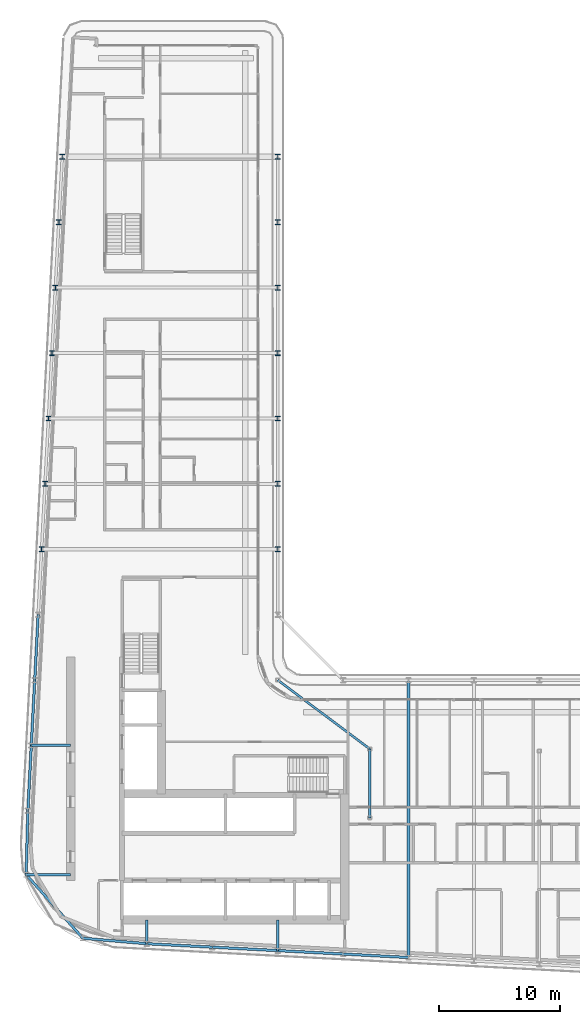
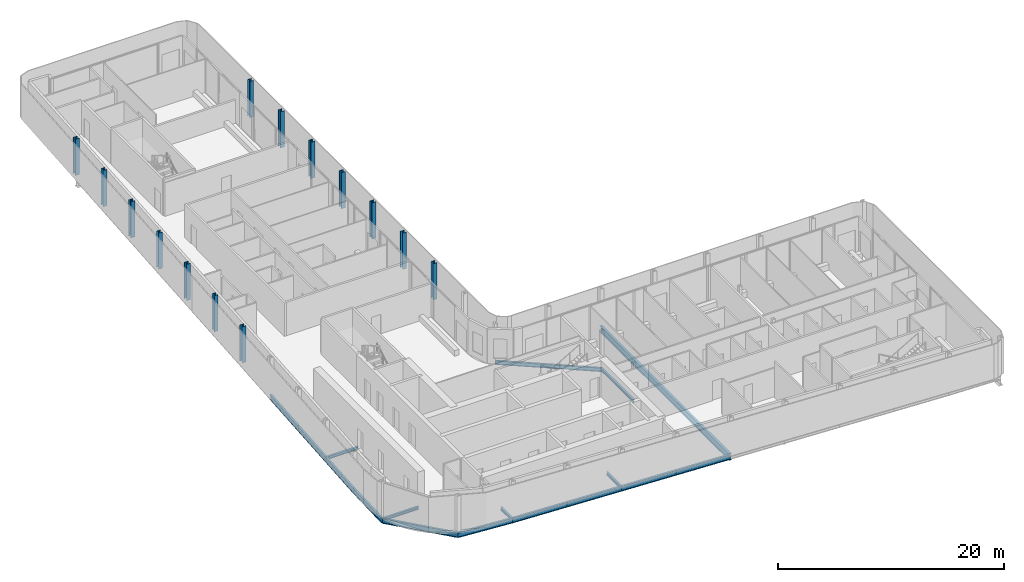
# One storey, part 3 of 23: 17 beams, 14 columns.
"""IFC4 building model written with IfcOpenShell, lengths in metres."""

from ifc_helpers import new_model, si_unit, direction, frame, origin, origin_2d, place, context, subcontext, project, spatial, i_section, extrude, material, material_profile, profile_set, type_object, element, save


model = new_model("IFC4")

# Units and contexts
model_context = context("Model", 3, precision=1e-05, world=origin(), true_north=direction((0.0, 1.0)))
body_context = subcontext(model_context, "Body", "Model", "MODEL_VIEW")
ifc_project = project(units=[si_unit("LENGTHUNIT", "METRE"), si_unit("AREAUNIT", "SQUARE_METRE"), si_unit("VOLUMEUNIT", "CUBIC_METRE"), si_unit("PLANEANGLEUNIT", "RADIAN"), si_unit("MASSUNIT", "GRAM", prefix="KILO")], contexts=[model_context])

# Site, building, storey
site_placement = place(None, origin())
site = spatial("IfcSite", under=ifc_project, at=site_placement, CompositionType="ELEMENT")
building_placement = place(site_placement, origin())
building = spatial("IfcBuilding", under=site, at=building_placement, Name="Kheshtan School and Residences Tower", CompositionType="ELEMENT")
storey_placement = place(building_placement, frame((0.0, 0.0, 243.5)))
storey = spatial("IfcBuildingStorey", under=building, at=storey_placement, Name="L57", CompositionType="ELEMENT", Elevation=243.5)

# Columns
ifc_material = material(Name="Steel ASTM A992 Grade 50", Category="steel")
ifc_material_profile_1 = material_profile(ifc_material, i_section(OverallWidth=0.404052734375, OverallDepth=0.406982421875, WebThickness=0.027099609375, FlangeThickness=0.043701171875, FilletRadius=0.01220703125, at=origin_2d()), Name="W360x347")
ifc_profile_set_1 = profile_set([ifc_material_profile_1], Name="Steel ASTM A992 Grade 50")
column_type = type_object("IfcColumnType", Name="Column C4 W360x347 ASTM A992 Grade 50", PredefinedType="COLUMN", material=ifc_profile_set_1)
for number, where, z_axis, x_axis, name in (
    (1, (28.10595703125, 56.39990234375, 0.0), (0.0, 0.0, 1.0), (1.0, 0.0, 0.0), "Column C080"),
    (2, (47.60009765625, 56.39990234375, 0.0), (0.0, 0.0, 1.0), (1.0, 0.0, 0.0), "Column C081"),
    (3, (28.389892578125, 61.800048828125, 0.0), (0.0, 0.0, 1.0), (1.0, 0.0, 0.0), "Column C082"),
    (4, (47.60009765625, 61.800048828125, 0.0), (0.0, 0.0, 1.0), (1.0, 0.0, 0.0), "Column C083"),
    (5, (28.674072265625, 67.199951171875, 0.0), (0.0, 0.0, 1.0), (1.0, 0.0, 0.0), "Column C084"),
    (6, (47.60009765625, 67.199951171875, 0.0), (0.0, 0.0, 1.0), (1.0, 0.0, 0.0), "Column C085"),
    (7, (28.9580078125, 72.60009765625, 0.0), (0.0, 0.0, 1.0), (1.0, 0.0, 0.0), "Column C086"),
    (8, (47.60009765625, 72.60009765625, 0.0), (0.0, 0.0, 1.0), (1.0, 0.0, 0.0), "Column C087"),
    (9, (29.242919921875, 78.0, 0.0), (0.0, 0.0, 1.0), (1.0, 0.0, 0.0), "Column C088"),
    (10, (47.60009765625, 78.0, 0.0), (0.0, 0.0, 1.0), (1.0, 0.0, 0.0), "Column C089"),
    (11, (29.527099609375, 83.39990234375, 0.0), (0.0, 0.0, 1.0), (1.0, 0.0, 0.0), "Column C090"),
    (12, (47.60009765625, 83.39990234375, 0.0), (0.0, 0.0, 1.0), (1.0, 0.0, 0.0), "Column C091"),
    (13, (29.81103515625, 88.800048828125, 0.0), (0.0, 0.0, 1.0), (1.0, 0.0, 0.0), "Column C098"),
    (14, (47.60009765625, 88.800048828125, 0.0), (0.0, 0.0, 1.0), (1.0, 0.0, 0.0), "Column C099"),
):
    element("IfcColumn", number, at=place(storey_placement, frame(where, z_axis=z_axis, x_axis=x_axis)), inside=storey, type_object=column_type, Name=name, PredefinedType="COLUMN", context=body_context, shape_type="SweptSolid", body=[
        extrude(i_section(OverallWidth=0.404052734375, OverallDepth=0.406982421875, WebThickness=0.027099609375, FlangeThickness=0.043701171875, FilletRadius=0.01220703125, at=origin_2d()), origin(), (0.0, 0.0, 1.0), 3.89990234375),
    ])

# Beams
ifc_material_profile_2 = material_profile(ifc_material, i_section(OverallWidth=0.202880859375, OverallDepth=0.302978515625, WebThickness=0.007568359375, FlangeThickness=0.01318359375, FilletRadius=0.009033203125, at=origin_2d()), Name="W310x60")
ifc_profile_set_2 = profile_set([ifc_material_profile_2], Name="Steel ASTM A992 Grade 50")
beam_type_1 = type_object("IfcBeamType", Name="Beam FB1 W310x60 ASTM A992 Grade 50", PredefinedType="BEAM", material=ifc_profile_set_2)
beam_1_placement = place(storey_placement, frame((47.60009765625, 23.263916015625, -0.301513671875), z_axis=(0.0, 1.0, 0.0), x_axis=(-1.0, 0.0, 0.0)))
element("IfcBeam", 15, at=beam_1_placement, inside=storey, type_object=beam_type_1, Name="Floor beam C020", PredefinedType="BEAM", context=body_context, shape_type="SweptSolid", body=[
    extrude(i_section(OverallWidth=0.202880859375, OverallDepth=0.302978515625, WebThickness=0.007568359375, FlangeThickness=0.01318359375, FilletRadius=0.009033203125, at=origin_2d()), origin(), (0.0, 0.0, 1.0), 2.5361328125),
])
beam_2_placement = place(storey_placement, frame((36.800048828125, 23.83203125, -0.301513671875), z_axis=(0.0, 1.0, 0.0), x_axis=(-1.0, 0.0, 0.0)))
element("IfcBeam", 16, at=beam_2_placement, inside=storey, type_object=beam_type_1, Name="Floor beam C022", PredefinedType="BEAM", context=body_context, shape_type="SweptSolid", body=[
    extrude(i_section(OverallWidth=0.202880859375, OverallDepth=0.302978515625, WebThickness=0.007568359375, FlangeThickness=0.01318359375, FilletRadius=0.009033203125, at=origin_2d()), origin(), (0.0, 0.0, 1.0), 1.968017578125),
])
beam_3_placement = place(storey_placement, frame((26.830078125, 29.5380859375, -0.301513671875), z_axis=(1.0, 0.0, 0.0), x_axis=(0.0, 1.0, 0.0)))
element("IfcBeam", 17, at=beam_3_placement, inside=storey, type_object=beam_type_1, Name="Floor beam C043", PredefinedType="BEAM", context=body_context, shape_type="SweptSolid", body=[
    extrude(i_section(OverallWidth=0.202880859375, OverallDepth=0.302978515625, WebThickness=0.007568359375, FlangeThickness=0.01318359375, FilletRadius=0.009033203125, at=origin_2d()), origin(), (0.0, 0.0, 1.0), 3.669921875),
])
beam_4_placement = place(storey_placement, frame((27.2529296875, 40.199951171875, -0.301513671875), z_axis=(1.0, 0.0, 0.0), x_axis=(0.0, 1.0, 0.0)))
element("IfcBeam", 18, at=beam_4_placement, inside=storey, type_object=beam_type_1, Name="Floor beam C056", PredefinedType="BEAM", context=body_context, shape_type="SweptSolid", body=[
    extrude(i_section(OverallWidth=0.202880859375, OverallDepth=0.302978515625, WebThickness=0.007568359375, FlangeThickness=0.01318359375, FilletRadius=0.009033203125, at=origin_2d()), origin(), (0.0, 0.0, 1.0), 3.2470703125),
])
beam_5_placement = place(storey_placement, frame((55.199951171875, 34.23193359375, -0.301513671875), z_axis=(0.0, 1.0, 0.0), x_axis=(-1.0, 0.0, 0.0)))
element("IfcBeam", 19, at=beam_5_placement, inside=storey, type_object=beam_type_1, Name="Floor beam IC", PredefinedType="BEAM", context=body_context, shape_type="SweptSolid", body=[
    extrude(i_section(OverallWidth=0.202880859375, OverallDepth=0.302978515625, WebThickness=0.007568359375, FlangeThickness=0.01318359375, FilletRadius=0.009033203125, at=origin_2d()), origin(), (0.0, 0.0, 1.0), 5.68408203125),
])
ifc_material_profile_3 = material_profile(ifc_material, i_section(OverallWidth=0.180908203125, OverallDepth=0.4169921875, WebThickness=0.010986328125, FlangeThickness=0.018310546875, FilletRadius=0.012451171875, at=origin_2d()), Name="W410x85")
ifc_profile_set_3 = profile_set([ifc_material_profile_3], Name="Steel ASTM A992 Grade 50")
beam_type_2 = type_object("IfcBeamType", Name="Beam FB3 W410x85 ASTM A992 Grade 50", PredefinedType="BEAM", material=ifc_profile_set_3)
beam_6_placement = place(storey_placement, frame((47.60009765625, 45.60009765625, -0.3583984375), z_axis=(0.800798828004, -0.598933416222, 0.0), x_axis=(0.598933416222, 0.800798828004, 0.0)))
element("IfcBeam", 20, at=beam_6_placement, inside=storey, type_object=beam_type_2, Name="Floor beam IC", PredefinedType="BEAM", context=body_context, shape_type="SweptSolid", body=[
    extrude(i_section(OverallWidth=0.180908203125, OverallDepth=0.4169921875, WebThickness=0.010986328125, FlangeThickness=0.018310546875, FilletRadius=0.012451171875, at=origin_2d()), origin(), (0.0, 0.0, 1.0), 9.490234375),
])
ifc_material_profile_4 = material_profile(ifc_material, i_section(OverallWidth=0.2529296875, OverallDepth=0.677978515625, WebThickness=0.01171875, FlangeThickness=0.016357421875, FilletRadius=0.0146484375, at=origin_2d()), Name="W690x125")
ifc_profile_set_4 = profile_set([ifc_material_profile_4], Name="Steel ASTM A992 Grade 50")
beam_type_3 = type_object("IfcBeamType", Name="Beam FB6 W690x125 ASTM A992 Grade 50", PredefinedType="BEAM", material=ifc_profile_set_4)
beam_7_placement = place(storey_placement, frame((58.39990234375, 22.695068359375, -0.489013671875), z_axis=(0.0, 1.0, 0.0), x_axis=(-1.0, 0.0, 0.0)))
element("IfcBeam", 21, at=beam_7_placement, inside=storey, type_object=beam_type_3, Name="Floor beam C018", PredefinedType="BEAM", context=body_context, shape_type="SweptSolid", body=[
    extrude(i_section(OverallWidth=0.2529296875, OverallDepth=0.677978515625, WebThickness=0.01171875, FlangeThickness=0.016357421875, FilletRadius=0.0146484375, at=origin_2d()), origin(), (0.0, 0.0, 1.0), 22.905029296875),
])
ifc_material_profile_5 = material_profile(ifc_material, i_section(OverallWidth=0.208984375, OverallDepth=0.532958984375, WebThickness=0.01025390625, FlangeThickness=0.015625, FilletRadius=0.013916015625, at=origin_2d()), Name="W530x92")
ifc_profile_set_5 = profile_set([ifc_material_profile_5], Name="Steel ASTM A992 Grade 50")
beam_type_4 = type_object("IfcBeamType", Name="Beam SP3 W530x92 ASTM A992 Grade 50", PredefinedType="BEAM", material=ifc_profile_set_5)
for number, where, z_axis, x_axis, name in (
    (22, (58.39990234375, 22.695068359375, -0.41650390625), (-0.998610961136, 0.052689166816, 0.0), (-0.052689166816, -0.998610961136, 0.0), "Spandrel beam C018-C019"),
    (23, (53.0, 22.97998046875, -0.41650390625), (-0.998620447272, 0.05250906864, 0.0), (-0.05250906864, -0.998620447272, 0.0), "Spandrel beam C019-C020"),
):
    element("IfcBeam", number, at=place(storey_placement, frame(where, z_axis=z_axis, x_axis=x_axis)), inside=storey, type_object=beam_type_4, Name=name, PredefinedType="BEAM", context=body_context, shape_type="SweptSolid", body=[
        extrude(i_section(OverallWidth=0.208984375, OverallDepth=0.532958984375, WebThickness=0.01025390625, FlangeThickness=0.015625, FilletRadius=0.013916015625, at=origin_2d()), origin(), (0.0, 0.0, 1.0), 5.407470703125),
    ])
beam_8_placement = place(storey_placement, frame((47.60009765625, 23.263916015625, -0.41650390625), z_axis=(-0.998618203458, 0.052551724256, 0.0), x_axis=(-0.052551724256, -0.998618203458, 0.0)))
element("IfcBeam", 24, at=beam_8_placement, inside=storey, type_object=beam_type_4, Name="Spandrel beam C020-C021", PredefinedType="BEAM", context=body_context, shape_type="SweptSolid", body=[
    extrude(i_section(OverallWidth=0.208984375, OverallDepth=0.532958984375, WebThickness=0.01025390625, FlangeThickness=0.015625, FilletRadius=0.013916015625, at=origin_2d()), origin(), (0.0, 0.0, 1.0), 5.40771484375),
])
beam_9_placement = place(storey_placement, frame((42.199951171875, 23.548095703125, -0.41650390625), z_axis=(-0.998620447272, 0.05250906864, 0.0), x_axis=(-0.05250906864, -0.998620447272, 0.0)))
element("IfcBeam", 25, at=beam_9_placement, inside=storey, type_object=beam_type_4, Name="Spandrel beam C021-C022", PredefinedType="BEAM", context=body_context, shape_type="SweptSolid", body=[
    extrude(i_section(OverallWidth=0.208984375, OverallDepth=0.532958984375, WebThickness=0.01025390625, FlangeThickness=0.015625, FilletRadius=0.013916015625, at=origin_2d()), origin(), (0.0, 0.0, 1.0), 5.407470703125),
])
beam_10_placement = place(storey_placement, frame((36.800048828125, 23.83203125, -0.41650390625), z_axis=(-0.996386672761, 0.084932904956, 0.0), x_axis=(-0.084932904956, -0.996386672761, 0.0)))
element("IfcBeam", 26, at=beam_10_placement, inside=storey, type_object=beam_type_4, Name="Spandrel beam C022-C030", PredefinedType="BEAM", context=body_context, shape_type="SweptSolid", body=[
    extrude(i_section(OverallWidth=0.208984375, OverallDepth=0.532958984375, WebThickness=0.01025390625, FlangeThickness=0.015625, FilletRadius=0.013916015625, at=origin_2d()), origin(), (0.0, 0.0, 1.0), 5.309326171875),
])
beam_11_placement = place(storey_placement, frame((31.510009765625, 24.282958984375, -0.41650390625), z_axis=(-0.66505480847, 0.746794551219, 0.0), x_axis=(-0.746794551219, -0.66505480847, 0.0)))
element("IfcBeam", 27, at=beam_11_placement, inside=storey, type_object=beam_type_4, Name="Spandrel beam C030-C043", PredefinedType="BEAM", context=body_context, shape_type="SweptSolid", body=[
    extrude(i_section(OverallWidth=0.208984375, OverallDepth=0.532958984375, WebThickness=0.01025390625, FlangeThickness=0.015625, FilletRadius=0.013916015625, at=origin_2d()), origin(), (0.0, 0.0, 1.0), 7.036865234375),
])
beam_12_placement = place(storey_placement, frame((26.830078125, 29.5380859375, -0.41650390625), z_axis=(0.026390842013, 0.999651701073, 0.0), x_axis=(-0.999651701073, 0.026390842013, 0.0)))
element("IfcBeam", 28, at=beam_12_placement, inside=storey, type_object=beam_type_4, Name="Spandrel beam C043-C052", PredefinedType="BEAM", context=body_context, shape_type="SweptSolid", body=[
    extrude(i_section(OverallWidth=0.208984375, OverallDepth=0.532958984375, WebThickness=0.01025390625, FlangeThickness=0.015625, FilletRadius=0.013916015625, at=origin_2d()), origin(), (0.0, 0.0, 1.0), 5.263916015625),
])
beam_13_placement = place(storey_placement, frame((26.968994140625, 34.800048828125, -0.41650390625), z_axis=(0.05250906864, 0.998620447272, 0.0), x_axis=(-0.998620447272, 0.05250906864, 0.0)))
element("IfcBeam", 29, at=beam_13_placement, inside=storey, type_object=beam_type_4, Name="Spandrel beam C052-C056", PredefinedType="BEAM", context=body_context, shape_type="SweptSolid", body=[
    extrude(i_section(OverallWidth=0.208984375, OverallDepth=0.532958984375, WebThickness=0.01025390625, FlangeThickness=0.015625, FilletRadius=0.013916015625, at=origin_2d()), origin(), (0.0, 0.0, 1.0), 5.407470703125),
])
beam_14_placement = place(storey_placement, frame((27.2529296875, 40.199951171875, -0.41650390625), z_axis=(0.052551724256, 0.998618203458, 0.0), x_axis=(-0.998618203458, 0.052551724256, 0.0)))
element("IfcBeam", 30, at=beam_14_placement, inside=storey, type_object=beam_type_4, Name="Spandrel beam C056-C059", PredefinedType="BEAM", context=body_context, shape_type="SweptSolid", body=[
    extrude(i_section(OverallWidth=0.208984375, OverallDepth=0.532958984375, WebThickness=0.01025390625, FlangeThickness=0.015625, FilletRadius=0.013916015625, at=origin_2d()), origin(), (0.0, 0.0, 1.0), 5.40771484375),
])
beam_15_placement = place(storey_placement, frame((27.537109375, 45.60009765625, -0.41650390625), z_axis=(0.052689166816, 0.998610961136, 0.0), x_axis=(-0.998610961136, 0.052689166816, 0.0)))
element("IfcBeam", 31, at=beam_15_placement, inside=storey, type_object=beam_type_4, Name="Spandrel beam C059-C078", PredefinedType="BEAM", context=body_context, shape_type="SweptSolid", body=[
    extrude(i_section(OverallWidth=0.208984375, OverallDepth=0.532958984375, WebThickness=0.01025390625, FlangeThickness=0.015625, FilletRadius=0.013916015625, at=origin_2d()), origin(), (0.0, 0.0, 1.0), 5.407470703125),
])

save(model, "model.ifc")
